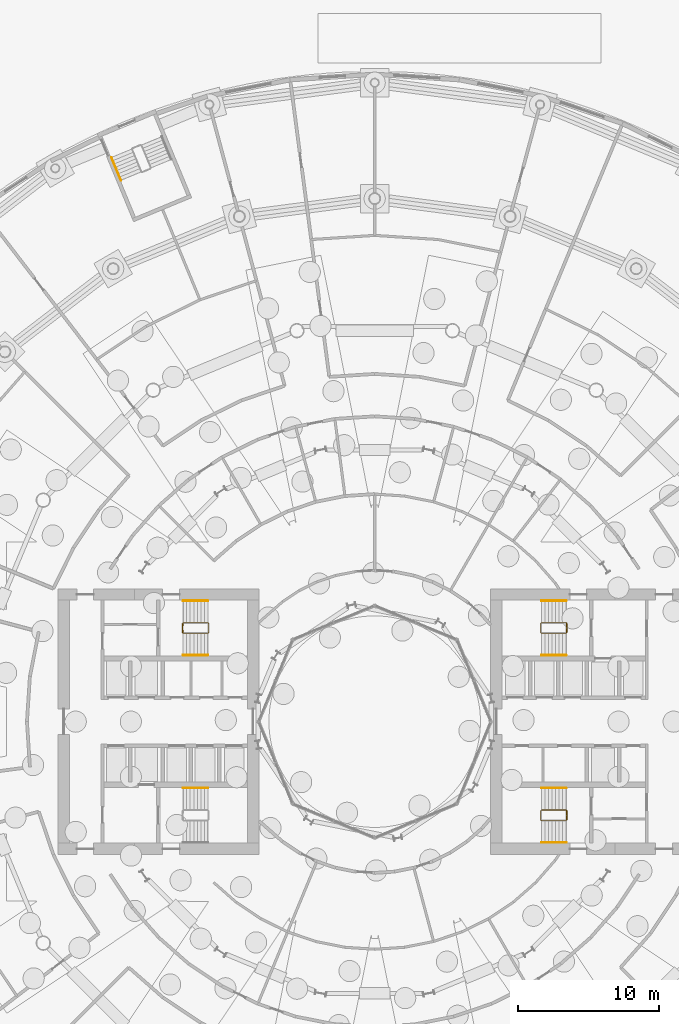
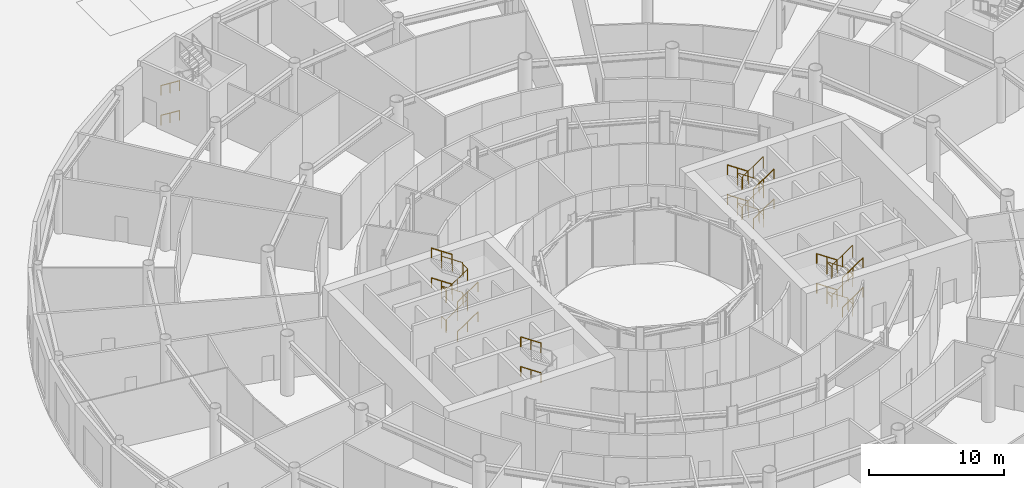
# One storey, part 39 of 41: 19 railings.
"""IFC4 building model written with IfcOpenShell, lengths in metres."""

from ifc_helpers import new_model, si_unit, direction, frame, origin, origin_2d, place, context, subcontext, project, spatial, circle, extrude, material, type_object, element, save


model = new_model("IFC4")

# Units and contexts
model_context = context("Model", 3, precision=1e-05, world=origin(), true_north=direction((0.0, 1.0)))
body_context = subcontext(model_context, "Body", "Model", "MODEL_VIEW")
ifc_project = project(units=[si_unit("LENGTHUNIT", "METRE"), si_unit("AREAUNIT", "SQUARE_METRE"), si_unit("VOLUMEUNIT", "CUBIC_METRE"), si_unit("PLANEANGLEUNIT", "RADIAN"), si_unit("MASSUNIT", "GRAM", prefix="KILO")], contexts=[model_context])

# Site, building, storey
site_placement = place(None, origin())
site = spatial("IfcSite", under=ifc_project, at=site_placement, CompositionType="ELEMENT")
building_placement = place(site_placement, origin())
building = spatial("IfcBuilding", under=site, at=building_placement, Name="Maasbend Ring Residences", CompositionType="ELEMENT")
storey_placement = place(building_placement, origin())
storey = spatial("IfcBuildingStorey", under=building, at=storey_placement, Name="L00", CompositionType="ELEMENT", Elevation=0.0)

# Railings
ifc_material_1 = material(Name="Stainless steel 316", Category="steel")
railing_type_1 = type_object("IfcRailingType", Name="STAIR GUARD 1100", PredefinedType="GUARDRAIL", material=ifc_material_1)
railing_1_placement = place(storey_placement, frame((13.60009765625, 6.300048828125, 0.0)))
element("IfcRailing", 1, at=railing_1_placement, inside=storey, type_object=railing_type_1, Name="L00 ST-E1 stair guard 1", PredefinedType="GUARDRAIL", context=body_context, shape_type="SweptSolid", body=[
    extrude(circle(Radius=0.02392578125, at=origin_2d()), frame((0.0, 0.0, 1.076171875), z_axis=(0.0, 1.0, 0.0), x_axis=(-1.0, 0.0, 0.0)), (0.0, 0.0, 1.0), 0.64990234375),
    extrude(circle(Radius=0.02392578125, at=origin_2d()), frame((0.0, 0.64990234375, 1.076171875), z_axis=(-0.273569069059, 0.273569069059, 0.922127935218), x_axis=(-0.707106781187, -0.707106781187, 0.0)), (0.0, 0.0, 1.0), 0.182861328125),
    extrude(circle(Radius=0.02392578125, at=origin_2d()), frame((-0.050048828125, 0.699951171875, 1.24462890625), z_axis=(-0.828816501605, 0.0, 0.559520514965), x_axis=(0.0, -1.0, 0.0)), (0.0, 0.0, 1.0), 2.111328125),
    extrude(circle(Radius=0.02392578125, at=origin_2d()), frame((-1.800048828125, 0.699951171875, 2.42626953125), z_axis=(-0.707106781187, -0.707106781187, 0.0), x_axis=(0.707106781187, -0.707106781187, 0.0)), (0.0, 0.0, 1.0), 0.07080078125),
    extrude(circle(Radius=0.02392578125, at=origin_2d()), frame((-1.85009765625, 0.64990234375, 2.42626953125), z_axis=(0.0, -1.0, 0.0), x_axis=(1.0, 0.0, 0.0)), (0.0, 0.0, 1.0), 0.64990234375),
    extrude(circle(Radius=0.02392578125, at=origin_2d()), frame((-1.85009765625, 0.0, 2.42626953125), z_axis=(0.273569069059, -0.273569069059, 0.922127935218), x_axis=(0.707106781187, 0.707106781187, 0.0)), (0.0, 0.0, 1.0), 0.182861328125),
    extrude(circle(Radius=0.02392578125, at=origin_2d()), frame((-1.800048828125, -0.050048828125, 2.5947265625), z_axis=(0.828870122254, 0.0, 0.559441078608), x_axis=(0.0, 1.0, 0.0)), (0.0, 0.0, 1.0), 2.111328125),
    extrude(circle(Radius=0.02392578125, at=origin_2d()), frame((-0.050048828125, -0.050048828125, 3.77587890625), z_axis=(0.071321223157, 0.997453398975, 0.0), x_axis=(-0.997453398975, 0.071321223157, 0.0)), (0.0, 0.0, 1.0), 0.70166015625),
    extrude(circle(Radius=0.02392578125, at=origin_2d()), frame((0.0, 0.64990234375, 3.77587890625), z_axis=(0.0, -1.0, 0.0), x_axis=(1.0, 0.0, 0.0)), (0.0, 0.0, 1.0), 0.64990234375),
    extrude(circle(Radius=0.02392578125, at=origin_2d()), frame((0.0, 0.0, 3.77587890625), z_axis=(-0.069345477993, 0.969821880032, 0.233745001431), x_axis=(-0.997453398975, -0.071321223157, 0.0)), (0.0, 0.0, 1.0), 0.7216796875),
    extrude(circle(Radius=0.02392578125, at=origin_2d()), frame((-0.050048828125, 0.699951171875, 3.94482421875), z_axis=(-0.828816501605, 0.0, 0.559520514965), x_axis=(0.0, -1.0, 0.0)), (0.0, 0.0, 1.0), 2.111328125),
    extrude(circle(Radius=0.02392578125, at=origin_2d()), frame((-1.800048828125, 0.699951171875, 5.1259765625), z_axis=(-0.707106781187, -0.707106781187, 0.0), x_axis=(0.707106781187, -0.707106781187, 0.0)), (0.0, 0.0, 1.0), 0.07080078125),
    extrude(circle(Radius=0.02392578125, at=origin_2d()), frame((-1.85009765625, 0.64990234375, 5.1259765625), z_axis=(0.0, -1.0, 0.0), x_axis=(1.0, 0.0, 0.0)), (0.0, 0.0, 1.0), 0.64990234375),
    extrude(circle(Radius=0.02392578125, at=origin_2d()), frame((-1.85009765625, 0.0, 5.1259765625), z_axis=(0.273569069059, -0.273569069059, 0.922127935218), x_axis=(0.707106781187, 0.707106781187, 0.0)), (0.0, 0.0, 1.0), 0.182861328125),
    extrude(circle(Radius=0.02392578125, at=origin_2d()), frame((-1.800048828125, -0.050048828125, 5.294921875), z_axis=(0.828870122254, 0.0, 0.559441078608), x_axis=(0.0, 1.0, 0.0)), (0.0, 0.0, 1.0), 2.111328125),
    extrude(circle(Radius=0.02099609375, at=origin_2d()), origin(), (0.0, 0.0, 1.0), 1.052001953125),
    extrude(circle(Radius=0.02099609375, at=origin_2d()), frame((0.0, 0.64990234375, 0.0)), (0.0, 0.0, 1.0), 1.052001953125),
    extrude(circle(Radius=0.02099609375, at=origin_2d()), frame((-0.050048828125, 0.699951171875, 0.168701171875)), (0.0, 0.0, 1.0), 1.052001953125),
    extrude(circle(Radius=0.02099609375, at=origin_2d()), frame((-0.925048828125, 0.699951171875, 0.75927734375)), (0.0, 0.0, 1.0), 1.052001953125),
    extrude(circle(Radius=0.02099609375, at=origin_2d()), frame((-1.800048828125, 0.699951171875, 1.35009765625)), (0.0, 0.0, 1.0), 1.052001953125),
    extrude(circle(Radius=0.02099609375, at=origin_2d()), frame((-1.85009765625, 0.64990234375, 1.35009765625)), (0.0, 0.0, 1.0), 1.052001953125),
    extrude(circle(Radius=0.02099609375, at=origin_2d()), frame((-1.85009765625, 0.0, 1.35009765625)), (0.0, 0.0, 1.0), 1.052001953125),
    extrude(circle(Radius=0.02099609375, at=origin_2d()), frame((-1.800048828125, -0.050048828125, 1.518798828125)), (0.0, 0.0, 1.0), 1.052001953125),
    extrude(circle(Radius=0.02099609375, at=origin_2d()), frame((-0.925048828125, -0.050048828125, 2.109375)), (0.0, 0.0, 1.0), 1.052001953125),
    extrude(circle(Radius=0.02099609375, at=origin_2d()), frame((-0.050048828125, -0.050048828125, 2.699951171875)), (0.0, 0.0, 1.0), 1.052001953125),
    extrude(circle(Radius=0.02099609375, at=origin_2d()), frame((0.0, 0.64990234375, 2.699951171875)), (0.0, 0.0, 1.0), 1.052001953125),
    extrude(circle(Radius=0.02099609375, at=origin_2d()), frame((0.0, 0.0, 2.699951171875)), (0.0, 0.0, 1.0), 1.052001953125),
    extrude(circle(Radius=0.02099609375, at=origin_2d()), frame((-0.050048828125, 0.699951171875, 2.86865234375)), (0.0, 0.0, 1.0), 1.052001953125),
    extrude(circle(Radius=0.02099609375, at=origin_2d()), frame((-0.925048828125, 0.699951171875, 3.45947265625)), (0.0, 0.0, 1.0), 1.052001953125),
    extrude(circle(Radius=0.02099609375, at=origin_2d()), frame((-1.800048828125, 0.699951171875, 4.050048828125)), (0.0, 0.0, 1.0), 1.052001953125),
    extrude(circle(Radius=0.02099609375, at=origin_2d()), frame((-1.85009765625, 0.64990234375, 4.050048828125)), (0.0, 0.0, 1.0), 1.052001953125),
    extrude(circle(Radius=0.02099609375, at=origin_2d()), frame((-1.85009765625, 0.0, 4.050048828125)), (0.0, 0.0, 1.0), 1.052001953125),
    extrude(circle(Radius=0.02099609375, at=origin_2d()), frame((-1.800048828125, -0.050048828125, 4.21875)), (0.0, 0.0, 1.0), 1.052001953125),
    extrude(circle(Radius=0.02099609375, at=origin_2d()), frame((-0.925048828125, -0.050048828125, 4.809326171875)), (0.0, 0.0, 1.0), 1.052001953125),
    extrude(circle(Radius=0.02099609375, at=origin_2d()), frame((-0.050048828125, -0.050048828125, 5.39990234375)), (0.0, 0.0, 1.0), 1.052001953125),
])
railing_2_placement = place(storey_placement, frame((13.60009765625, -6.949951171875, 0.0)))
element("IfcRailing", 2, at=railing_2_placement, inside=storey, type_object=railing_type_1, Name="L00 ST-E2 stair guard 1", PredefinedType="GUARDRAIL", context=body_context, shape_type="SweptSolid", body=[
    extrude(circle(Radius=0.02392578125, at=origin_2d()), frame((0.0, 0.0, 1.076171875), z_axis=(0.0, 1.0, 0.0), x_axis=(-1.0, 0.0, 0.0)), (0.0, 0.0, 1.0), 0.64990234375),
    extrude(circle(Radius=0.02392578125, at=origin_2d()), frame((0.0, 0.64990234375, 1.076171875), z_axis=(-0.273569069059, 0.273569069059, 0.922127935218), x_axis=(-0.707106781187, -0.707106781187, 0.0)), (0.0, 0.0, 1.0), 0.182861328125),
    extrude(circle(Radius=0.02392578125, at=origin_2d()), frame((-0.050048828125, 0.699951171875, 1.24462890625), z_axis=(-0.828816501605, 0.0, 0.559520514965), x_axis=(0.0, -1.0, 0.0)), (0.0, 0.0, 1.0), 2.111328125),
    extrude(circle(Radius=0.02392578125, at=origin_2d()), frame((-1.800048828125, 0.699951171875, 2.42626953125), z_axis=(-0.707106781187, -0.707106781187, 0.0), x_axis=(0.707106781187, -0.707106781187, 0.0)), (0.0, 0.0, 1.0), 0.07080078125),
    extrude(circle(Radius=0.02392578125, at=origin_2d()), frame((-1.85009765625, 0.64990234375, 2.42626953125), z_axis=(0.0, -1.0, 0.0), x_axis=(1.0, 0.0, 0.0)), (0.0, 0.0, 1.0), 0.64990234375),
    extrude(circle(Radius=0.02392578125, at=origin_2d()), frame((-1.85009765625, 0.0, 2.42626953125), z_axis=(0.273569069059, -0.273569069059, 0.922127935218), x_axis=(0.707106781187, 0.707106781187, 0.0)), (0.0, 0.0, 1.0), 0.182861328125),
    extrude(circle(Radius=0.02392578125, at=origin_2d()), frame((-1.800048828125, -0.050048828125, 2.5947265625), z_axis=(0.828870122254, 0.0, 0.559441078608), x_axis=(0.0, 1.0, 0.0)), (0.0, 0.0, 1.0), 2.111328125),
    extrude(circle(Radius=0.02392578125, at=origin_2d()), frame((-0.050048828125, -0.050048828125, 3.77587890625), z_axis=(0.071321223157, 0.997453398975, 0.0), x_axis=(-0.997453398975, 0.071321223157, 0.0)), (0.0, 0.0, 1.0), 0.70166015625),
    extrude(circle(Radius=0.02392578125, at=origin_2d()), frame((0.0, 0.64990234375, 3.77587890625), z_axis=(0.0, -1.0, 0.0), x_axis=(1.0, 0.0, 0.0)), (0.0, 0.0, 1.0), 0.64990234375),
    extrude(circle(Radius=0.02392578125, at=origin_2d()), frame((0.0, 0.0, 3.77587890625), z_axis=(-0.069345477993, 0.969821880032, 0.233745001431), x_axis=(-0.997453398975, -0.071321223157, 0.0)), (0.0, 0.0, 1.0), 0.7216796875),
    extrude(circle(Radius=0.02392578125, at=origin_2d()), frame((-0.050048828125, 0.699951171875, 3.94482421875), z_axis=(-0.828816501605, 0.0, 0.559520514965), x_axis=(0.0, -1.0, 0.0)), (0.0, 0.0, 1.0), 2.111328125),
    extrude(circle(Radius=0.02392578125, at=origin_2d()), frame((-1.800048828125, 0.699951171875, 5.1259765625), z_axis=(-0.707106781187, -0.707106781187, 0.0), x_axis=(0.707106781187, -0.707106781187, 0.0)), (0.0, 0.0, 1.0), 0.07080078125),
    extrude(circle(Radius=0.02392578125, at=origin_2d()), frame((-1.85009765625, 0.64990234375, 5.1259765625), z_axis=(0.0, -1.0, 0.0), x_axis=(1.0, 0.0, 0.0)), (0.0, 0.0, 1.0), 0.64990234375),
    extrude(circle(Radius=0.02392578125, at=origin_2d()), frame((-1.85009765625, 0.0, 5.1259765625), z_axis=(0.273569069059, -0.273569069059, 0.922127935218), x_axis=(0.707106781187, 0.707106781187, 0.0)), (0.0, 0.0, 1.0), 0.182861328125),
    extrude(circle(Radius=0.02392578125, at=origin_2d()), frame((-1.800048828125, -0.050048828125, 5.294921875), z_axis=(0.828870122254, 0.0, 0.559441078608), x_axis=(0.0, 1.0, 0.0)), (0.0, 0.0, 1.0), 2.111328125),
    extrude(circle(Radius=0.02099609375, at=origin_2d()), origin(), (0.0, 0.0, 1.0), 1.052001953125),
    extrude(circle(Radius=0.02099609375, at=origin_2d()), frame((0.0, 0.64990234375, 0.0)), (0.0, 0.0, 1.0), 1.052001953125),
    extrude(circle(Radius=0.02099609375, at=origin_2d()), frame((-0.050048828125, 0.699951171875, 0.168701171875)), (0.0, 0.0, 1.0), 1.052001953125),
    extrude(circle(Radius=0.02099609375, at=origin_2d()), frame((-0.925048828125, 0.699951171875, 0.75927734375)), (0.0, 0.0, 1.0), 1.052001953125),
    extrude(circle(Radius=0.02099609375, at=origin_2d()), frame((-1.800048828125, 0.699951171875, 1.35009765625)), (0.0, 0.0, 1.0), 1.052001953125),
    extrude(circle(Radius=0.02099609375, at=origin_2d()), frame((-1.85009765625, 0.64990234375, 1.35009765625)), (0.0, 0.0, 1.0), 1.052001953125),
    extrude(circle(Radius=0.02099609375, at=origin_2d()), frame((-1.85009765625, 0.0, 1.35009765625)), (0.0, 0.0, 1.0), 1.052001953125),
    extrude(circle(Radius=0.02099609375, at=origin_2d()), frame((-1.800048828125, -0.050048828125, 1.518798828125)), (0.0, 0.0, 1.0), 1.052001953125),
    extrude(circle(Radius=0.02099609375, at=origin_2d()), frame((-0.925048828125, -0.050048828125, 2.109375)), (0.0, 0.0, 1.0), 1.052001953125),
    extrude(circle(Radius=0.02099609375, at=origin_2d()), frame((-0.050048828125, -0.050048828125, 2.699951171875)), (0.0, 0.0, 1.0), 1.052001953125),
    extrude(circle(Radius=0.02099609375, at=origin_2d()), frame((0.0, 0.64990234375, 2.699951171875)), (0.0, 0.0, 1.0), 1.052001953125),
    extrude(circle(Radius=0.02099609375, at=origin_2d()), frame((0.0, 0.0, 2.699951171875)), (0.0, 0.0, 1.0), 1.052001953125),
    extrude(circle(Radius=0.02099609375, at=origin_2d()), frame((-0.050048828125, 0.699951171875, 2.86865234375)), (0.0, 0.0, 1.0), 1.052001953125),
    extrude(circle(Radius=0.02099609375, at=origin_2d()), frame((-0.925048828125, 0.699951171875, 3.45947265625)), (0.0, 0.0, 1.0), 1.052001953125),
    extrude(circle(Radius=0.02099609375, at=origin_2d()), frame((-1.800048828125, 0.699951171875, 4.050048828125)), (0.0, 0.0, 1.0), 1.052001953125),
    extrude(circle(Radius=0.02099609375, at=origin_2d()), frame((-1.85009765625, 0.64990234375, 4.050048828125)), (0.0, 0.0, 1.0), 1.052001953125),
    extrude(circle(Radius=0.02099609375, at=origin_2d()), frame((-1.85009765625, 0.0, 4.050048828125)), (0.0, 0.0, 1.0), 1.052001953125),
    extrude(circle(Radius=0.02099609375, at=origin_2d()), frame((-1.800048828125, -0.050048828125, 4.21875)), (0.0, 0.0, 1.0), 1.052001953125),
    extrude(circle(Radius=0.02099609375, at=origin_2d()), frame((-0.925048828125, -0.050048828125, 4.809326171875)), (0.0, 0.0, 1.0), 1.052001953125),
    extrude(circle(Radius=0.02099609375, at=origin_2d()), frame((-0.050048828125, -0.050048828125, 5.39990234375)), (0.0, 0.0, 1.0), 1.052001953125),
])
railing_3_placement = place(storey_placement, frame((-13.60009765625, 6.949951171875, 0.0)))
element("IfcRailing", 3, at=railing_3_placement, inside=storey, type_object=railing_type_1, Name="L00 ST-W2 stair guard 1", PredefinedType="GUARDRAIL", context=body_context, shape_type="SweptSolid", body=[
    extrude(circle(Radius=0.02392578125, at=origin_2d()), frame((0.0, 0.0, 1.076171875), z_axis=(0.0, -1.0, 0.0), x_axis=(1.0, 0.0, 0.0)), (0.0, 0.0, 1.0), 0.64990234375),
    extrude(circle(Radius=0.02392578125, at=origin_2d()), frame((0.0, -0.64990234375, 1.076171875), z_axis=(0.273569069059, -0.273569069059, 0.922127935218), x_axis=(0.707106781187, 0.707106781187, 0.0)), (0.0, 0.0, 1.0), 0.182861328125),
    extrude(circle(Radius=0.02392578125, at=origin_2d()), frame((0.050048828125, -0.699951171875, 1.24462890625), z_axis=(0.828816501605, 0.0, 0.559520514965), x_axis=(0.0, 1.0, 0.0)), (0.0, 0.0, 1.0), 2.111328125),
    extrude(circle(Radius=0.02392578125, at=origin_2d()), frame((1.800048828125, -0.699951171875, 2.42626953125), z_axis=(0.707106781187, 0.707106781187, 0.0), x_axis=(-0.707106781187, 0.707106781187, 0.0)), (0.0, 0.0, 1.0), 0.07080078125),
    extrude(circle(Radius=0.02392578125, at=origin_2d()), frame((1.85009765625, -0.64990234375, 2.42626953125), z_axis=(0.0, 1.0, 0.0), x_axis=(-1.0, 0.0, 0.0)), (0.0, 0.0, 1.0), 0.64990234375),
    extrude(circle(Radius=0.02392578125, at=origin_2d()), frame((1.85009765625, 0.0, 2.42626953125), z_axis=(-0.273569069059, 0.273569069059, 0.922127935218), x_axis=(-0.707106781187, -0.707106781187, 0.0)), (0.0, 0.0, 1.0), 0.182861328125),
    extrude(circle(Radius=0.02392578125, at=origin_2d()), frame((1.800048828125, 0.050048828125, 2.5947265625), z_axis=(-0.828870122254, 0.0, 0.559441078608), x_axis=(0.0, -1.0, 0.0)), (0.0, 0.0, 1.0), 2.111328125),
    extrude(circle(Radius=0.02392578125, at=origin_2d()), frame((0.050048828125, 0.050048828125, 3.77587890625), z_axis=(-0.071321223157, -0.997453398975, 0.0), x_axis=(0.997453398975, -0.071321223157, 0.0)), (0.0, 0.0, 1.0), 0.70166015625),
    extrude(circle(Radius=0.02392578125, at=origin_2d()), frame((0.0, -0.64990234375, 3.77587890625), z_axis=(0.0, 1.0, 0.0), x_axis=(-1.0, 0.0, 0.0)), (0.0, 0.0, 1.0), 0.64990234375),
    extrude(circle(Radius=0.02392578125, at=origin_2d()), frame((0.0, 0.0, 3.77587890625), z_axis=(0.069345477993, -0.969821880032, 0.233745001431), x_axis=(0.997453398975, 0.071321223157, 0.0)), (0.0, 0.0, 1.0), 0.7216796875),
    extrude(circle(Radius=0.02392578125, at=origin_2d()), frame((0.050048828125, -0.699951171875, 3.94482421875), z_axis=(0.828816501605, 0.0, 0.559520514965), x_axis=(0.0, 1.0, 0.0)), (0.0, 0.0, 1.0), 2.111328125),
    extrude(circle(Radius=0.02392578125, at=origin_2d()), frame((1.800048828125, -0.699951171875, 5.1259765625), z_axis=(0.707106781187, 0.707106781187, 0.0), x_axis=(-0.707106781187, 0.707106781187, 0.0)), (0.0, 0.0, 1.0), 0.07080078125),
    extrude(circle(Radius=0.02392578125, at=origin_2d()), frame((1.85009765625, -0.64990234375, 5.1259765625), z_axis=(0.0, 1.0, 0.0), x_axis=(-1.0, 0.0, 0.0)), (0.0, 0.0, 1.0), 0.64990234375),
    extrude(circle(Radius=0.02392578125, at=origin_2d()), frame((1.85009765625, 0.0, 5.1259765625), z_axis=(-0.273569069059, 0.273569069059, 0.922127935218), x_axis=(-0.707106781187, -0.707106781187, 0.0)), (0.0, 0.0, 1.0), 0.182861328125),
    extrude(circle(Radius=0.02392578125, at=origin_2d()), frame((1.800048828125, 0.050048828125, 5.294921875), z_axis=(-0.828870122254, 0.0, 0.559441078608), x_axis=(0.0, -1.0, 0.0)), (0.0, 0.0, 1.0), 2.111328125),
    extrude(circle(Radius=0.02099609375, at=origin_2d()), origin(), (0.0, 0.0, 1.0), 1.052001953125),
    extrude(circle(Radius=0.02099609375, at=origin_2d()), frame((0.0, -0.64990234375, 0.0)), (0.0, 0.0, 1.0), 1.052001953125),
    extrude(circle(Radius=0.02099609375, at=origin_2d()), frame((0.050048828125, -0.699951171875, 0.168701171875)), (0.0, 0.0, 1.0), 1.052001953125),
    extrude(circle(Radius=0.02099609375, at=origin_2d()), frame((0.925048828125, -0.699951171875, 0.75927734375)), (0.0, 0.0, 1.0), 1.052001953125),
    extrude(circle(Radius=0.02099609375, at=origin_2d()), frame((1.800048828125, -0.699951171875, 1.35009765625)), (0.0, 0.0, 1.0), 1.052001953125),
    extrude(circle(Radius=0.02099609375, at=origin_2d()), frame((1.85009765625, -0.64990234375, 1.35009765625)), (0.0, 0.0, 1.0), 1.052001953125),
    extrude(circle(Radius=0.02099609375, at=origin_2d()), frame((1.85009765625, 0.0, 1.35009765625)), (0.0, 0.0, 1.0), 1.052001953125),
    extrude(circle(Radius=0.02099609375, at=origin_2d()), frame((1.800048828125, 0.050048828125, 1.518798828125)), (0.0, 0.0, 1.0), 1.052001953125),
    extrude(circle(Radius=0.02099609375, at=origin_2d()), frame((0.925048828125, 0.050048828125, 2.109375)), (0.0, 0.0, 1.0), 1.052001953125),
    extrude(circle(Radius=0.02099609375, at=origin_2d()), frame((0.050048828125, 0.050048828125, 2.699951171875)), (0.0, 0.0, 1.0), 1.052001953125),
    extrude(circle(Radius=0.02099609375, at=origin_2d()), frame((0.0, -0.64990234375, 2.699951171875)), (0.0, 0.0, 1.0), 1.052001953125),
    extrude(circle(Radius=0.02099609375, at=origin_2d()), frame((0.0, 0.0, 2.699951171875)), (0.0, 0.0, 1.0), 1.052001953125),
    extrude(circle(Radius=0.02099609375, at=origin_2d()), frame((0.050048828125, -0.699951171875, 2.86865234375)), (0.0, 0.0, 1.0), 1.052001953125),
    extrude(circle(Radius=0.02099609375, at=origin_2d()), frame((0.925048828125, -0.699951171875, 3.45947265625)), (0.0, 0.0, 1.0), 1.052001953125),
    extrude(circle(Radius=0.02099609375, at=origin_2d()), frame((1.800048828125, -0.699951171875, 4.050048828125)), (0.0, 0.0, 1.0), 1.052001953125),
    extrude(circle(Radius=0.02099609375, at=origin_2d()), frame((1.85009765625, -0.64990234375, 4.050048828125)), (0.0, 0.0, 1.0), 1.052001953125),
    extrude(circle(Radius=0.02099609375, at=origin_2d()), frame((1.85009765625, 0.0, 4.050048828125)), (0.0, 0.0, 1.0), 1.052001953125),
    extrude(circle(Radius=0.02099609375, at=origin_2d()), frame((1.800048828125, 0.050048828125, 4.21875)), (0.0, 0.0, 1.0), 1.052001953125),
    extrude(circle(Radius=0.02099609375, at=origin_2d()), frame((0.925048828125, 0.050048828125, 4.809326171875)), (0.0, 0.0, 1.0), 1.052001953125),
    extrude(circle(Radius=0.02099609375, at=origin_2d()), frame((0.050048828125, 0.050048828125, 5.39990234375)), (0.0, 0.0, 1.0), 1.052001953125),
])
ifc_material_2 = material(Name="Stainless steel 316", Category="steel")
railing_type_2 = type_object("IfcRailingType", Name="STAIR HANDRAIL 900", PredefinedType="HANDRAIL", material=ifc_material_2)
railing_4_placement = place(storey_placement, frame((13.550048828125, 8.550048828125, 0.168701171875)))
element("IfcRailing", 4, at=railing_4_placement, inside=storey, type_object=railing_type_2, Name="L00 ST-E1 stair handrail 1", PredefinedType="HANDRAIL", context=body_context, shape_type="SweptSolid", body=[
    extrude(circle(Radius=0.02392578125, at=origin_2d()), frame((0.0, 0.0, 0.8759765625), z_axis=(-0.828816501605, 0.0, 0.559520514965), x_axis=(0.0, -1.0, 0.0)), (0.0, 0.0, 1.0), 2.111328125),
    extrude(circle(Radius=0.02099609375, at=origin_2d()), origin(), (0.0, 0.0, 1.0), 0.851806640625),
    extrude(circle(Radius=0.02099609375, at=origin_2d()), frame((-0.875, 0.0, 0.5908203125)), (0.0, 0.0, 1.0), 0.851806640625),
    extrude(circle(Radius=0.02099609375, at=origin_2d()), frame((-1.75, 0.0, 1.181396484375)), (0.0, 0.0, 1.0), 0.851806640625),
])
railing_5_placement = place(storey_placement, frame((11.800048828125, 4.699951171875, 1.518798828125)))
element("IfcRailing", 5, at=railing_5_placement, inside=storey, type_object=railing_type_2, Name="L00 ST-E1 stair handrail 2", PredefinedType="HANDRAIL", context=body_context, shape_type="SweptSolid", body=[
    extrude(circle(Radius=0.02392578125, at=origin_2d()), frame((0.0, 0.0, 0.8759765625), z_axis=(0.828870122254, 0.0, 0.559441078608), x_axis=(0.0, 1.0, 0.0)), (0.0, 0.0, 1.0), 2.111328125),
    extrude(circle(Radius=0.02099609375, at=origin_2d()), origin(), (0.0, 0.0, 1.0), 0.851806640625),
    extrude(circle(Radius=0.02099609375, at=origin_2d()), frame((0.875, 0.0, 0.590576171875)), (0.0, 0.0, 1.0), 0.851806640625),
    extrude(circle(Radius=0.02099609375, at=origin_2d()), frame((1.75, 0.0, 1.18115234375)), (0.0, 0.0, 1.0), 0.851806640625),
])
railing_6_placement = place(storey_placement, frame((13.550048828125, 8.550048828125, 2.86865234375)))
element("IfcRailing", 6, at=railing_6_placement, inside=storey, type_object=railing_type_2, Name="L00 ST-E1 stair handrail 3", PredefinedType="HANDRAIL", context=body_context, shape_type="SweptSolid", body=[
    extrude(circle(Radius=0.02392578125, at=origin_2d()), frame((0.0, 0.0, 0.8759765625), z_axis=(-0.828816501605, 0.0, 0.559520514965), x_axis=(0.0, -1.0, 0.0)), (0.0, 0.0, 1.0), 2.111328125),
    extrude(circle(Radius=0.02099609375, at=origin_2d()), origin(), (0.0, 0.0, 1.0), 0.851806640625),
    extrude(circle(Radius=0.02099609375, at=origin_2d()), frame((-0.875, 0.0, 0.5908203125)), (0.0, 0.0, 1.0), 0.851806640625),
    extrude(circle(Radius=0.02099609375, at=origin_2d()), frame((-1.75, 0.0, 1.181396484375)), (0.0, 0.0, 1.0), 0.851806640625),
])
railing_7_placement = place(storey_placement, frame((11.800048828125, 4.699951171875, 4.21875)))
element("IfcRailing", 7, at=railing_7_placement, inside=storey, type_object=railing_type_2, Name="L00 ST-E1 stair handrail 4", PredefinedType="HANDRAIL", context=body_context, shape_type="SweptSolid", body=[
    extrude(circle(Radius=0.02392578125, at=origin_2d()), frame((0.0, 0.0, 0.8759765625), z_axis=(0.828870122254, 0.0, 0.559441078608), x_axis=(0.0, 1.0, 0.0)), (0.0, 0.0, 1.0), 2.111328125),
    extrude(circle(Radius=0.02099609375, at=origin_2d()), origin(), (0.0, 0.0, 1.0), 0.851806640625),
    extrude(circle(Radius=0.02099609375, at=origin_2d()), frame((0.875, 0.0, 0.590576171875)), (0.0, 0.0, 1.0), 0.851806640625),
    extrude(circle(Radius=0.02099609375, at=origin_2d()), frame((1.75, 0.0, 1.18115234375)), (0.0, 0.0, 1.0), 0.851806640625),
])
railing_8_placement = place(storey_placement, frame((13.550048828125, -4.699951171875, 0.168701171875)))
element("IfcRailing", 8, at=railing_8_placement, inside=storey, type_object=railing_type_2, Name="L00 ST-E2 stair handrail 1", PredefinedType="HANDRAIL", context=body_context, shape_type="SweptSolid", body=[
    extrude(circle(Radius=0.02392578125, at=origin_2d()), frame((0.0, 0.0, 0.8759765625), z_axis=(-0.828816501605, 0.0, 0.559520514965), x_axis=(0.0, -1.0, 0.0)), (0.0, 0.0, 1.0), 2.111328125),
    extrude(circle(Radius=0.02099609375, at=origin_2d()), origin(), (0.0, 0.0, 1.0), 0.851806640625),
    extrude(circle(Radius=0.02099609375, at=origin_2d()), frame((-0.875, 0.0, 0.5908203125)), (0.0, 0.0, 1.0), 0.851806640625),
    extrude(circle(Radius=0.02099609375, at=origin_2d()), frame((-1.75, 0.0, 1.181396484375)), (0.0, 0.0, 1.0), 0.851806640625),
])
railing_9_placement = place(storey_placement, frame((11.800048828125, -8.550048828125, 1.518798828125)))
element("IfcRailing", 9, at=railing_9_placement, inside=storey, type_object=railing_type_2, Name="L00 ST-E2 stair handrail 2", PredefinedType="HANDRAIL", context=body_context, shape_type="SweptSolid", body=[
    extrude(circle(Radius=0.02392578125, at=origin_2d()), frame((0.0, 0.0, 0.8759765625), z_axis=(0.828870122254, 0.0, 0.559441078608), x_axis=(0.0, 1.0, 0.0)), (0.0, 0.0, 1.0), 2.111328125),
    extrude(circle(Radius=0.02099609375, at=origin_2d()), origin(), (0.0, 0.0, 1.0), 0.851806640625),
    extrude(circle(Radius=0.02099609375, at=origin_2d()), frame((0.875, 0.0, 0.590576171875)), (0.0, 0.0, 1.0), 0.851806640625),
    extrude(circle(Radius=0.02099609375, at=origin_2d()), frame((1.75, 0.0, 1.18115234375)), (0.0, 0.0, 1.0), 0.851806640625),
])
railing_10_placement = place(storey_placement, frame((13.550048828125, -4.699951171875, 2.86865234375)))
element("IfcRailing", 10, at=railing_10_placement, inside=storey, type_object=railing_type_2, Name="L00 ST-E2 stair handrail 3", PredefinedType="HANDRAIL", context=body_context, shape_type="SweptSolid", body=[
    extrude(circle(Radius=0.02392578125, at=origin_2d()), frame((0.0, 0.0, 0.8759765625), z_axis=(-0.828816501605, 0.0, 0.559520514965), x_axis=(0.0, -1.0, 0.0)), (0.0, 0.0, 1.0), 2.111328125),
    extrude(circle(Radius=0.02099609375, at=origin_2d()), origin(), (0.0, 0.0, 1.0), 0.851806640625),
    extrude(circle(Radius=0.02099609375, at=origin_2d()), frame((-0.875, 0.0, 0.5908203125)), (0.0, 0.0, 1.0), 0.851806640625),
    extrude(circle(Radius=0.02099609375, at=origin_2d()), frame((-1.75, 0.0, 1.181396484375)), (0.0, 0.0, 1.0), 0.851806640625),
])
railing_11_placement = place(storey_placement, frame((11.800048828125, -8.550048828125, 4.21875)))
element("IfcRailing", 11, at=railing_11_placement, inside=storey, type_object=railing_type_2, Name="L00 ST-E2 stair handrail 4", PredefinedType="HANDRAIL", context=body_context, shape_type="SweptSolid", body=[
    extrude(circle(Radius=0.02392578125, at=origin_2d()), frame((0.0, 0.0, 0.8759765625), z_axis=(0.828870122254, 0.0, 0.559441078608), x_axis=(0.0, 1.0, 0.0)), (0.0, 0.0, 1.0), 2.111328125),
    extrude(circle(Radius=0.02099609375, at=origin_2d()), origin(), (0.0, 0.0, 1.0), 0.851806640625),
    extrude(circle(Radius=0.02099609375, at=origin_2d()), frame((0.875, 0.0, 0.590576171875)), (0.0, 0.0, 1.0), 0.851806640625),
    extrude(circle(Radius=0.02099609375, at=origin_2d()), frame((1.75, 0.0, 1.18115234375)), (0.0, 0.0, 1.0), 0.851806640625),
])
for number, where, name in (
    (12, (-11.800048828125, -4.699951171875, 1.518798828125), "L00 ST-W1 stair handrail 2"),
    (13, (-11.800048828125, -4.699951171875, 4.21875), "L00 ST-W1 stair handrail 4"),
):
    element("IfcRailing", number, at=place(storey_placement, frame(where)), inside=storey, type_object=railing_type_2, Name=name, PredefinedType="HANDRAIL", context=body_context, shape_type="SweptSolid", body=[
        extrude(circle(Radius=0.02392578125, at=origin_2d()), frame((0.0, 0.0, 0.8759765625), z_axis=(-0.828870122254, 0.0, 0.559441078608), x_axis=(0.0, -1.0, 0.0)), (0.0, 0.0, 1.0), 2.111328125),
        extrude(circle(Radius=0.02099609375, at=origin_2d()), origin(), (0.0, 0.0, 1.0), 0.851806640625),
        extrude(circle(Radius=0.02099609375, at=origin_2d()), frame((-0.875, 0.0, 0.590576171875)), (0.0, 0.0, 1.0), 0.851806640625),
        extrude(circle(Radius=0.02099609375, at=origin_2d()), frame((-1.75, 0.0, 1.18115234375)), (0.0, 0.0, 1.0), 0.851806640625),
    ])
railing_12_placement = place(storey_placement, frame((-13.550048828125, 4.699951171875, 0.168701171875)))
element("IfcRailing", 14, at=railing_12_placement, inside=storey, type_object=railing_type_2, Name="L00 ST-W2 stair handrail 1", PredefinedType="HANDRAIL", context=body_context, shape_type="SweptSolid", body=[
    extrude(circle(Radius=0.02392578125, at=origin_2d()), frame((0.0, 0.0, 0.8759765625), z_axis=(0.828816501605, 0.0, 0.559520514965), x_axis=(0.0, 1.0, 0.0)), (0.0, 0.0, 1.0), 2.111328125),
    extrude(circle(Radius=0.02099609375, at=origin_2d()), origin(), (0.0, 0.0, 1.0), 0.851806640625),
    extrude(circle(Radius=0.02099609375, at=origin_2d()), frame((0.875, 0.0, 0.5908203125)), (0.0, 0.0, 1.0), 0.851806640625),
    extrude(circle(Radius=0.02099609375, at=origin_2d()), frame((1.75, 0.0, 1.181396484375)), (0.0, 0.0, 1.0), 0.851806640625),
])
railing_13_placement = place(storey_placement, frame((-11.800048828125, 8.550048828125, 1.518798828125)))
element("IfcRailing", 15, at=railing_13_placement, inside=storey, type_object=railing_type_2, Name="L00 ST-W2 stair handrail 2", PredefinedType="HANDRAIL", context=body_context, shape_type="SweptSolid", body=[
    extrude(circle(Radius=0.02392578125, at=origin_2d()), frame((0.0, 0.0, 0.8759765625), z_axis=(-0.828870122254, 0.0, 0.559441078608), x_axis=(0.0, -1.0, 0.0)), (0.0, 0.0, 1.0), 2.111328125),
    extrude(circle(Radius=0.02099609375, at=origin_2d()), origin(), (0.0, 0.0, 1.0), 0.851806640625),
    extrude(circle(Radius=0.02099609375, at=origin_2d()), frame((-0.875, 0.0, 0.590576171875)), (0.0, 0.0, 1.0), 0.851806640625),
    extrude(circle(Radius=0.02099609375, at=origin_2d()), frame((-1.75, 0.0, 1.18115234375)), (0.0, 0.0, 1.0), 0.851806640625),
])
railing_14_placement = place(storey_placement, frame((-13.550048828125, 4.699951171875, 2.86865234375)))
element("IfcRailing", 16, at=railing_14_placement, inside=storey, type_object=railing_type_2, Name="L00 ST-W2 stair handrail 3", PredefinedType="HANDRAIL", context=body_context, shape_type="SweptSolid", body=[
    extrude(circle(Radius=0.02392578125, at=origin_2d()), frame((0.0, 0.0, 0.8759765625), z_axis=(0.828816501605, 0.0, 0.559520514965), x_axis=(0.0, 1.0, 0.0)), (0.0, 0.0, 1.0), 2.111328125),
    extrude(circle(Radius=0.02099609375, at=origin_2d()), origin(), (0.0, 0.0, 1.0), 0.851806640625),
    extrude(circle(Radius=0.02099609375, at=origin_2d()), frame((0.875, 0.0, 0.5908203125)), (0.0, 0.0, 1.0), 0.851806640625),
    extrude(circle(Radius=0.02099609375, at=origin_2d()), frame((1.75, 0.0, 1.181396484375)), (0.0, 0.0, 1.0), 0.851806640625),
])
railing_15_placement = place(storey_placement, frame((-11.800048828125, 8.550048828125, 4.21875)))
element("IfcRailing", 17, at=railing_15_placement, inside=storey, type_object=railing_type_2, Name="L00 ST-W2 stair handrail 4", PredefinedType="HANDRAIL", context=body_context, shape_type="SweptSolid", body=[
    extrude(circle(Radius=0.02392578125, at=origin_2d()), frame((0.0, 0.0, 0.8759765625), z_axis=(-0.828870122254, 0.0, 0.559441078608), x_axis=(0.0, -1.0, 0.0)), (0.0, 0.0, 1.0), 2.111328125),
    extrude(circle(Radius=0.02099609375, at=origin_2d()), origin(), (0.0, 0.0, 1.0), 0.851806640625),
    extrude(circle(Radius=0.02099609375, at=origin_2d()), frame((-0.875, 0.0, 0.590576171875)), (0.0, 0.0, 1.0), 0.851806640625),
    extrude(circle(Radius=0.02099609375, at=origin_2d()), frame((-1.75, 0.0, 1.18115234375)), (0.0, 0.0, 1.0), 0.851806640625),
])
for number, where, name in (
    (18, (-18.616455078125, 39.9140625, 0.168701171875), "L00 ST-P1 stair handrail 1"),
    (19, (-18.616455078125, 39.9140625, 2.86865234375), "L00 ST-P1 stair handrail 3"),
):
    element("IfcRailing", number, at=place(storey_placement, frame(where)), inside=storey, type_object=railing_type_2, Name=name, PredefinedType="HANDRAIL", context=body_context, shape_type="SweptSolid", body=[
        extrude(circle(Radius=0.02392578125, at=origin_2d()), frame((0.0, 0.0, 0.8759765625), z_axis=(0.317176908296, -0.765711077921, 0.559540305959), x_axis=(0.923875695366, 0.382692695921, 0.0)), (0.0, 0.0, 1.0), 2.111328125),
        extrude(circle(Radius=0.02099609375, at=origin_2d()), origin(), (0.0, 0.0, 1.0), 0.851806640625),
        extrude(circle(Radius=0.02099609375, at=origin_2d()), frame((0.3349609375, -0.808349609375, 0.5908203125)), (0.0, 0.0, 1.0), 0.851806640625),
        extrude(circle(Radius=0.02099609375, at=origin_2d()), frame((0.669677734375, -1.61669921875, 1.181396484375)), (0.0, 0.0, 1.0), 0.851806640625),
    ])

save(model, "model.ifc")
